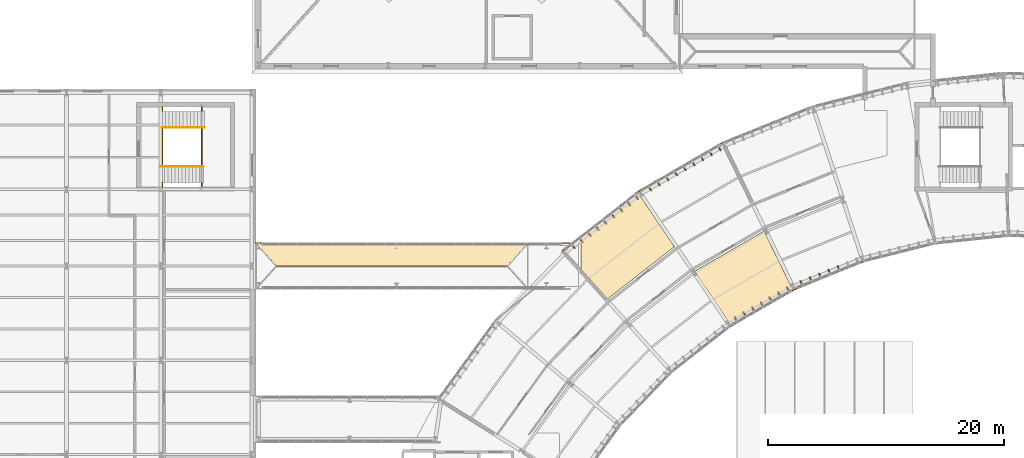
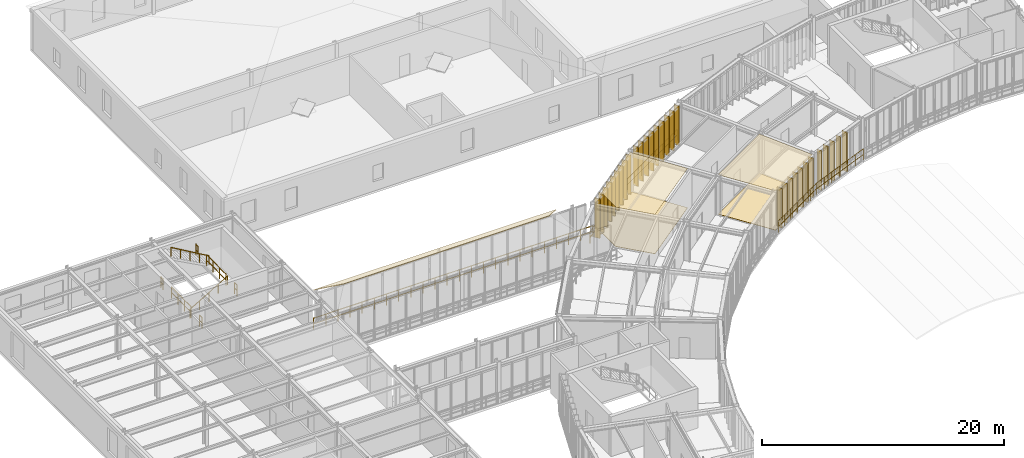
# One storey, part 54 of 57: 35 coverings, 13 railings.
"""IFC4 building model written with IfcOpenShell, lengths in metres."""

from ifc_helpers import new_model, si_unit, direction, frame, origin, origin_2d, place, context, subcontext, project, spatial, polyline, rectangle, circle, outline, extrude, material, layer, layer_set, type_object, element, save


model = new_model("IFC4")

# Units and contexts
model_context = context("Model", 3, precision=1e-05, world=origin(), true_north=direction((0.0, 1.0)))
body_context = subcontext(model_context, "Body", "Model", "MODEL_VIEW")
ifc_project = project(units=[si_unit("LENGTHUNIT", "METRE"), si_unit("AREAUNIT", "SQUARE_METRE"), si_unit("VOLUMEUNIT", "CUBIC_METRE"), si_unit("PLANEANGLEUNIT", "RADIAN"), si_unit("MASSUNIT", "GRAM", prefix="KILO"), si_unit("THERMODYNAMICTEMPERATUREUNIT", "KELVIN"), si_unit("POWERUNIT", "WATT")], contexts=[model_context])

# Site, building, storey
site_placement = place(None, origin())
site = spatial("IfcSite", under=ifc_project, at=site_placement, CompositionType="ELEMENT")
building_placement = place(site_placement, origin())
building = spatial("IfcBuilding", under=site, at=building_placement, Name="Solvatero Civic Police Headquarters", CompositionType="ELEMENT")
storey_placement = place(building_placement, frame((0.0, 0.0, 9.300048828125)))
storey = spatial("IfcBuildingStorey", under=building, at=storey_placement, Name="L02", CompositionType="ELEMENT", Elevation=9.300048828125)

# Coverings
ifc_material_1 = material(Name="Mineral-Fibre Acoustic Tile", Category="gypsum")
ifc_layer_1 = layer(ifc_material_1, 0.02490234375)
ifc_layer_set_1 = layer_set([ifc_layer_1], Name="Mineral-Fibre Acoustic Tile")
covering_type_1 = type_object("IfcCoveringType", Name="COV-CEIL-AC", PredefinedType="CEILING", material=ifc_layer_set_1)
covering_1_placement = place(storey_placement, frame((0.0, 0.0, 3.974853515625)))
element("IfcCovering", 1, at=covering_1_placement, inside=storey, type_object=covering_type_1, Name="Acoustic Ceiling Homicide and Major Crimes Squad Bay 5", PredefinedType="CEILING", context=body_context, shape_type="SweptSolid", body=[
    extrude(outline(polyline([(68.7333984375, 63.673828125), (65.775634765625, 68.058837890625), (71.670654296875, 71.46240234375), (73.989501953125, 66.70849609375), (68.7333984375, 63.673828125)])), origin(), (0.0, 0.0, 1.0), 0.025146484375),
])
covering_2_placement = place(storey_placement, frame((0.0, 0.0, 3.974853515625)))
element("IfcCovering", 2, at=covering_2_placement, inside=storey, type_object=covering_type_1, Name="Acoustic Ceiling Organised Crime Analysis Room Bay 6", PredefinedType="CEILING", context=body_context, shape_type="SweptSolid", body=[
    extrude(outline(polyline([(61.10400390625, 74.519775390625), (64.06201171875, 70.134765625), (58.4033203125, 65.713623046875), (56.1201171875, 68.24951171875), (56.1201171875, 70.340087890625), (56.11962890625, 70.347900390625), (56.118408203125, 70.355712890625), (56.11669921875, 70.36328125), (56.114013671875, 70.37060546875), (56.110595703125, 70.377685546875), (56.1064453125, 70.384521484375), (56.101806640625, 70.390869140625), (56.0966796875, 70.396484375), (56.0908203125, 70.40185546875), (56.08447265625, 70.406494140625), (56.07763671875, 70.41064453125), (56.070556640625, 70.413818359375), (56.063232421875, 70.41650390625), (56.0556640625, 70.41845703125), (56.0478515625, 70.419677734375), (56.0400390625, 70.419921875), (55.8564453125, 70.419921875), (61.10400390625, 74.519775390625)])), origin(), (0.0, 0.0, 1.0), 0.025146484375),
])
ifc_material_2 = material(Name="Anodized Bronze Aluminium", Category="aluminium")
ifc_layer_2 = layer(ifc_material_2, 0.080078125)
ifc_layer_set_2 = layer_set([ifc_layer_2], Name="Anodized Bronze Aluminium")
covering_type_2 = type_object("IfcCoveringType", Name="COV-FIN-480", PredefinedType="CLADDING", material=ifc_layer_set_2)
for number, where, z_axis, x_axis, name in (
    (3, (77.994384765625, 68.3046875, -0.02001953125), (0.0, 0.0, 1.0), (-0.927183854567, -0.374606593416, 0.0), "Vertical Brise-Soleil Fin 0424"),
    (4, (77.206298828125, 67.986328125, -0.02001953125), (0.0, 0.0, 1.0), (-0.927183854567, -0.374606593416, 0.0), "Vertical Brise-Soleil Fin 0425"),
    (5, (76.418212890625, 67.66796875, -0.02001953125), (0.0, 0.0, 1.0), (-0.927183854567, -0.374606593416, 0.0), "Vertical Brise-Soleil Fin 0426"),
    (6, (75.630126953125, 67.349609375, -0.02001953125), (0.0, 0.0, 1.0), (-0.927183854567, -0.374606593416, 0.0), "Vertical Brise-Soleil Fin 0427"),
    (7, (74.842041015625, 67.031005859375, -0.02001953125), (0.0, 0.0, 1.0), (-0.927183854567, -0.374606593416, 0.0), "Vertical Brise-Soleil Fin 0428"),
    (8, (67.864990234375, 78.491455078125, -0.02001953125), (0.0, 0.0, 1.0), (-0.866025403784, -0.5, 0.0), "Vertical Brise-Soleil Fin 0429"),
    (9, (67.12890625, 78.06640625, -0.02001953125), (0.0, 0.0, 1.0), (-0.866025403784, -0.5, 0.0), "Vertical Brise-Soleil Fin 0430"),
    (10, (66.392578125, 77.6416015625, -0.02001953125), (0.0, 0.0, 1.0), (-0.866025403784, -0.5, 0.0), "Vertical Brise-Soleil Fin 0431"),
    (11, (65.656494140625, 77.216552734375, -0.02001953125), (0.0, 0.0, 1.0), (-0.866025403784, -0.5, 0.0), "Vertical Brise-Soleil Fin 0432"),
    (12, (64.92041015625, 76.79150390625, -0.02001953125), (0.0, 0.0, 1.0), (-0.866025403784, -0.5, 0.0), "Vertical Brise-Soleil Fin 0433"),
    (13, (64.184326171875, 76.366455078125, -0.02001953125), (0.0, 0.0, 1.0), (-0.866025403784, -0.5, 0.0), "Vertical Brise-Soleil Fin 0434"),
    (14, (63.4482421875, 75.94140625, -0.02001953125), (0.0, 0.0, 1.0), (-0.866025403784, -0.5, 0.0), "Vertical Brise-Soleil Fin 0435"),
    (15, (62.712158203125, 75.5166015625, -0.02001953125), (0.0, 0.0, 1.0), (-0.866025403784, -0.5, 0.0), "Vertical Brise-Soleil Fin 0436"),
    (16, (61.975830078125, 75.091552734375, -0.02001953125), (0.0, 0.0, 1.0), (-0.866025403784, -0.5, 0.0), "Vertical Brise-Soleil Fin 0437"),
    (17, (73.705322265625, 66.49853515625, -0.02001953125), (0.0, 0.0, 1.0), (-0.866025403784, -0.5, 0.0), "Vertical Brise-Soleil Fin 0438"),
    (18, (72.96923828125, 66.073486328125, -0.02001953125), (0.0, 0.0, 1.0), (-0.866025403784, -0.5, 0.0), "Vertical Brise-Soleil Fin 0439"),
    (19, (72.23291015625, 65.648681640625, -0.02001953125), (0.0, 0.0, 1.0), (-0.866025403784, -0.5, 0.0), "Vertical Brise-Soleil Fin 0440"),
    (20, (71.496826171875, 65.2236328125, -0.02001953125), (0.0, 0.0, 1.0), (-0.866025403784, -0.5, 0.0), "Vertical Brise-Soleil Fin 0441"),
    (21, (70.7607421875, 64.798583984375, -0.02001953125), (0.0, 0.0, 1.0), (-0.866025403784, -0.5, 0.0), "Vertical Brise-Soleil Fin 0442"),
    (22, (70.024658203125, 64.37353515625, -0.02001953125), (0.0, 0.0, 1.0), (-0.866025403784, -0.5, 0.0), "Vertical Brise-Soleil Fin 0443"),
    (23, (69.28857421875, 63.948486328125, -0.02001953125), (0.0, 0.0, 1.0), (-0.866025403784, -0.5, 0.0), "Vertical Brise-Soleil Fin 0444"),
    (24, (60.83203125, 74.357666015625, -0.02001953125), (0.0, 0.0, 1.0), (-0.788021498807, -0.61564772185, 0.0), "Vertical Brise-Soleil Fin 0445"),
    (25, (60.162353515625, 73.834228515625, -0.02001953125), (0.0, 0.0, 1.0), (-0.788021498807, -0.61564772185, 0.0), "Vertical Brise-Soleil Fin 0446"),
    (26, (59.492431640625, 73.31103515625, -0.02001953125), (0.0, 0.0, 1.0), (-0.788021498807, -0.61564772185, 0.0), "Vertical Brise-Soleil Fin 0447"),
    (27, (58.82275390625, 72.78759765625, -0.02001953125), (0.0, 0.0, 1.0), (-0.788021498807, -0.61564772185, 0.0), "Vertical Brise-Soleil Fin 0448"),
    (28, (58.15283203125, 72.264404296875, -0.02001953125), (0.0, 0.0, 1.0), (-0.788021498807, -0.61564772185, 0.0), "Vertical Brise-Soleil Fin 0449"),
    (29, (57.48291015625, 71.740966796875, -0.02001953125), (0.0, 0.0, 1.0), (-0.788021498807, -0.61564772185, 0.0), "Vertical Brise-Soleil Fin 0450"),
    (30, (56.813232421875, 71.2177734375, -0.02001953125), (0.0, 0.0, 1.0), (-0.788021498807, -0.61564772185, 0.0), "Vertical Brise-Soleil Fin 0451"),
    (31, (56.143310546875, 70.6943359375, -0.02001953125), (0.0, 0.0, 1.0), (-0.788021498807, -0.61564772185, 0.0), "Vertical Brise-Soleil Fin 0452"),
    (32, (55.4736328125, 70.171142578125, -0.02001953125), (0.0, 0.0, 1.0), (-0.788021498807, -0.61564772185, 0.0), "Vertical Brise-Soleil Fin 0453"),
):
    element("IfcCovering", number, at=place(storey_placement, frame(where, z_axis=z_axis, x_axis=x_axis)), inside=storey, type_object=covering_type_2, Name=name, PredefinedType="CLADDING", context=body_context, shape_type="SweptSolid", body=[
        extrude(rectangle(XDim=0.080078125, YDim=0.47998046875, at=origin_2d()), origin(), (0.0, 0.0, 1.0), 3.97998046875),
    ])
ifc_material_3 = material(Name="Venetian Terrazzo Stone", Category="masonry")
ifc_layer_3 = layer(ifc_material_3, 0.034912109375)
ifc_layer_set_3 = layer_set([ifc_layer_3], Name="Venetian Terrazzo Stone")
covering_type_3 = type_object("IfcCoveringType", Name="COV-FLR-TER", PredefinedType="FLOORING", material=ifc_layer_set_3)
covering_3_placement = place(storey_placement, origin())
element("IfcCovering", 33, at=covering_3_placement, inside=storey, type_object=covering_type_3, Name="Flooring Homicide and Major Crimes Squad Bay 5", PredefinedType="FLOORING", context=body_context, shape_type="SweptSolid", body=[
    extrude(outline(polyline([(68.7333984375, 63.673828125), (65.775634765625, 68.058837890625), (71.670654296875, 71.46240234375), (73.989501953125, 66.70849609375), (68.7333984375, 63.673828125)])), origin(), (0.0, 0.0, 1.0), 0.034912109375),
])
covering_4_placement = place(storey_placement, origin())
element("IfcCovering", 34, at=covering_4_placement, inside=storey, type_object=covering_type_3, Name="Flooring Organised Crime Analysis Room Bay 6", PredefinedType="FLOORING", context=body_context, shape_type="SweptSolid", body=[
    extrude(outline(polyline([(61.10400390625, 74.519775390625), (64.06201171875, 70.134765625), (58.4033203125, 65.713623046875), (56.1201171875, 68.24951171875), (56.1201171875, 70.340087890625), (56.11962890625, 70.347900390625), (56.118408203125, 70.355712890625), (56.11669921875, 70.36328125), (56.114013671875, 70.37060546875), (56.110595703125, 70.377685546875), (56.1064453125, 70.384521484375), (56.101806640625, 70.390869140625), (56.0966796875, 70.396484375), (56.0908203125, 70.40185546875), (56.08447265625, 70.406494140625), (56.07763671875, 70.41064453125), (56.070556640625, 70.413818359375), (56.063232421875, 70.41650390625), (56.0556640625, 70.41845703125), (56.0478515625, 70.419677734375), (56.0400390625, 70.419921875), (55.8564453125, 70.419921875), (61.10400390625, 74.519775390625)])), origin(), (0.0, 0.0, 1.0), 0.034912109375),
])
ifc_material_4 = material(Name="Lombard Terracotta Clay Tile", Category="masonry")
ifc_layer_4 = layer(ifc_material_4, 0.06005859375)
ifc_layer_set_4 = layer_set([ifc_layer_4], Name="Lombard Terracotta Clay Tile")
covering_type_4 = type_object("IfcCoveringType", Name="COV-RF-TILE", PredefinedType="ROOFING", material=ifc_layer_set_4)
covering_5_placement = place(storey_placement, frame((51.659912109375, 70.4599609375, 3.989990234375), z_axis=(0.0, 0.512544009094, 0.858660956805), x_axis=(-1.0, 0.0, 0.0)))
element("IfcCovering", 35, at=covering_5_placement, inside=storey, type_object=covering_type_4, Name="SB2R Lombard Terracotta Hipped Roof Covering N", PredefinedType="ROOFING", context=body_context, shape_type="SweptSolid", body=[
    extrude(outline(polyline([(0.0, 0.0), (23.119873046875, 0.0), (21.349853515625, 2.282578382034097), (1.77001953125, 2.282578382034097), (0.0, 0.0)])), origin(), (0.0, 0.0, -1.0), 0.06005859375),
])

# Railings
ifc_material_5 = material(Name="Anodized Bronze and Laminated Glass", Category="glass")
railing_type_1 = type_object("IfcRailingType", Name="RL-BAL-115", PredefinedType="BALUSTRADE", material=ifc_material_5)
railing_1_placement = place(storey_placement, frame((28.550048828125, 70.449951171875, 0.0)))
element("IfcRailing", 36, at=railing_1_placement, inside=storey, type_object=railing_type_1, Name="Glazed Facade Sill Balustrade RL-L02-SB2-N", PredefinedType="BALUSTRADE", context=body_context, shape_type="SweptSolid", body=[
    extrude(circle(Radius=0.02392578125, at=origin_2d()), frame((0.0, 0.0, 1.1259765625), z_axis=(1.0, 0.0, 0.0), x_axis=(0.0, 1.0, 0.0)), (0.0, 0.0, 1.0), 26.64990234375),
    extrude(circle(Radius=0.02392578125, at=origin_2d()), frame((0.0, 0.0, 0.55078125), z_axis=(1.0, 0.0, 0.0), x_axis=(0.0, 1.0, 0.0)), (0.0, 0.0, 1.0), 26.64990234375),
    extrude(circle(Radius=0.02099609375, at=origin_2d()), origin(), (0.0, 0.0, 1.0), 1.101806640625),
    extrude(circle(Radius=0.02099609375, at=origin_2d()), frame((1.15869140625, 0.0, 0.0)), (0.0, 0.0, 1.0), 1.101806640625),
    extrude(circle(Radius=0.02099609375, at=origin_2d()), frame((2.3173828125, 0.0, 0.0)), (0.0, 0.0, 1.0), 1.101806640625),
    extrude(circle(Radius=0.02099609375, at=origin_2d()), frame((3.47607421875, 0.0, 0.0)), (0.0, 0.0, 1.0), 1.101806640625),
    extrude(circle(Radius=0.02099609375, at=origin_2d()), frame((4.634765625, 0.0, 0.0)), (0.0, 0.0, 1.0), 1.101806640625),
    extrude(circle(Radius=0.02099609375, at=origin_2d()), frame((5.79345703125, 0.0, 0.0)), (0.0, 0.0, 1.0), 1.101806640625),
    extrude(circle(Radius=0.02099609375, at=origin_2d()), frame((6.9521484375, 0.0, 0.0)), (0.0, 0.0, 1.0), 1.101806640625),
    extrude(circle(Radius=0.02099609375, at=origin_2d()), frame((8.11083984375, 0.0, 0.0)), (0.0, 0.0, 1.0), 1.101806640625),
    extrude(circle(Radius=0.02099609375, at=origin_2d()), frame((9.26953125, 0.0, 0.0)), (0.0, 0.0, 1.0), 1.101806640625),
    extrude(circle(Radius=0.02099609375, at=origin_2d()), frame((10.42822265625, 0.0, 0.0)), (0.0, 0.0, 1.0), 1.101806640625),
    extrude(circle(Radius=0.02099609375, at=origin_2d()), frame((11.5869140625, 0.0, 0.0)), (0.0, 0.0, 1.0), 1.101806640625),
    extrude(circle(Radius=0.02099609375, at=origin_2d()), frame((12.74560546875, 0.0, 0.0)), (0.0, 0.0, 1.0), 1.101806640625),
    extrude(circle(Radius=0.02099609375, at=origin_2d()), frame((13.904296875, 0.0, 0.0)), (0.0, 0.0, 1.0), 1.101806640625),
    extrude(circle(Radius=0.02099609375, at=origin_2d()), frame((15.06298828125, 0.0, 0.0)), (0.0, 0.0, 1.0), 1.101806640625),
    extrude(circle(Radius=0.02099609375, at=origin_2d()), frame((16.2216796875, 0.0, 0.0)), (0.0, 0.0, 1.0), 1.101806640625),
    extrude(circle(Radius=0.02099609375, at=origin_2d()), frame((17.38037109375, 0.0, 0.0)), (0.0, 0.0, 1.0), 1.101806640625),
    extrude(circle(Radius=0.02099609375, at=origin_2d()), frame((18.5390625, 0.0, 0.0)), (0.0, 0.0, 1.0), 1.101806640625),
    extrude(circle(Radius=0.02099609375, at=origin_2d()), frame((19.69775390625, 0.0, 0.0)), (0.0, 0.0, 1.0), 1.101806640625),
    extrude(circle(Radius=0.02099609375, at=origin_2d()), frame((20.8564453125, 0.0, 0.0)), (0.0, 0.0, 1.0), 1.101806640625),
    extrude(circle(Radius=0.02099609375, at=origin_2d()), frame((22.01513671875, 0.0, 0.0)), (0.0, 0.0, 1.0), 1.101806640625),
    extrude(circle(Radius=0.02099609375, at=origin_2d()), frame((23.173828125, 0.0, 0.0)), (0.0, 0.0, 1.0), 1.101806640625),
    extrude(circle(Radius=0.02099609375, at=origin_2d()), frame((24.33251953125, 0.0, 0.0)), (0.0, 0.0, 1.0), 1.101806640625),
    extrude(circle(Radius=0.02099609375, at=origin_2d()), frame((25.4912109375, 0.0, 0.0)), (0.0, 0.0, 1.0), 1.101806640625),
    extrude(circle(Radius=0.02099609375, at=origin_2d()), frame((26.64990234375, 0.0, 0.0)), (0.0, 0.0, 1.0), 1.101806640625),
])
railing_2_placement = place(storey_placement, frame((80.07568359375, 68.8544921875, 0.0)))
element("IfcRailing", 37, at=railing_2_placement, inside=storey, type_object=railing_type_1, Name="Glazed Facade Sill Balustrade RL-L02-ARCIN-B04", PredefinedType="BALUSTRADE", context=body_context, shape_type="SweptSolid", body=[
    extrude(circle(Radius=0.02392578125, at=origin_2d()), frame((0.0, 0.0, 1.1259765625), z_axis=(-0.927193595022, -0.374582484041, 0.0), x_axis=(0.374582484041, -0.927193595022, 0.0)), (0.0, 0.0, 1.0), 6.286376953125),
    extrude(circle(Radius=0.02392578125, at=origin_2d()), frame((0.0, 0.0, 0.55078125), z_axis=(-0.927193595022, -0.374582484041, 0.0), x_axis=(0.374582484041, -0.927193595022, 0.0)), (0.0, 0.0, 1.0), 6.286376953125),
    extrude(circle(Radius=0.02099609375, at=origin_2d()), origin(), (0.0, 0.0, 1.0), 1.101806640625),
    extrude(circle(Radius=0.02099609375, at=origin_2d()), frame((-0.971435546875, -0.392578125, 0.0)), (0.0, 0.0, 1.0), 1.101806640625),
    extrude(circle(Radius=0.02099609375, at=origin_2d()), frame((-1.94287109375, -0.784912109375, 0.0)), (0.0, 0.0, 1.0), 1.101806640625),
    extrude(circle(Radius=0.02099609375, at=origin_2d()), frame((-2.914306640625, -1.17724609375, 0.0)), (0.0, 0.0, 1.0), 1.101806640625),
    extrude(circle(Radius=0.02099609375, at=origin_2d()), frame((-3.8857421875, -1.56982421875, 0.0)), (0.0, 0.0, 1.0), 1.101806640625),
    extrude(circle(Radius=0.02099609375, at=origin_2d()), frame((-4.857177734375, -1.96240234375, 0.0)), (0.0, 0.0, 1.0), 1.101806640625),
    extrude(circle(Radius=0.02099609375, at=origin_2d()), frame((-5.82861328125, -2.354736328125, 0.0)), (0.0, 0.0, 1.0), 1.101806640625),
])
railing_3_placement = place(storey_placement, frame((74.2470703125, 66.499755859375, 0.0)))
element("IfcRailing", 38, at=railing_3_placement, inside=storey, type_object=railing_type_1, Name="Glazed Facade Sill Balustrade RL-L02-ARCIN-B05", PredefinedType="BALUSTRADE", context=body_context, shape_type="SweptSolid", body=[
    extrude(circle(Radius=0.02392578125, at=origin_2d()), frame((0.0, 0.0, 1.1259765625), z_axis=(-0.866023907196, -0.500002592159, 0.0), x_axis=(0.500002592159, -0.866023907196, 0.0)), (0.0, 0.0, 1.0), 6.28662109375),
    extrude(circle(Radius=0.02392578125, at=origin_2d()), frame((0.0, 0.0, 0.55078125), z_axis=(-0.866023907196, -0.500002592159, 0.0), x_axis=(0.500002592159, -0.866023907196, 0.0)), (0.0, 0.0, 1.0), 6.28662109375),
    extrude(circle(Radius=0.02099609375, at=origin_2d()), origin(), (0.0, 0.0, 1.0), 1.101806640625),
    extrude(circle(Radius=0.02099609375, at=origin_2d()), frame((-0.907470703125, -0.52392578125, 0.0)), (0.0, 0.0, 1.0), 1.101806640625),
    extrude(circle(Radius=0.02099609375, at=origin_2d()), frame((-1.814697265625, -1.0478515625, 0.0)), (0.0, 0.0, 1.0), 1.101806640625),
    extrude(circle(Radius=0.02099609375, at=origin_2d()), frame((-2.72216796875, -1.57177734375, 0.0)), (0.0, 0.0, 1.0), 1.101806640625),
    extrude(circle(Radius=0.02099609375, at=origin_2d()), frame((-3.629638671875, -2.095458984375, 0.0)), (0.0, 0.0, 1.0), 1.101806640625),
    extrude(circle(Radius=0.02099609375, at=origin_2d()), frame((-4.536865234375, -2.619384765625, 0.0)), (0.0, 0.0, 1.0), 1.101806640625),
    extrude(circle(Radius=0.02099609375, at=origin_2d()), frame((-5.4443359375, -3.143310546875, 0.0)), (0.0, 0.0, 1.0), 1.101806640625),
])
railing_4_placement = place(storey_placement, frame((68.162353515625, 78.974853515625, 0.0)))
element("IfcRailing", 39, at=railing_4_placement, inside=storey, type_object=railing_type_1, Name="Glazed Facade Sill Balustrade RL-L02-ARCOUT-B05", PredefinedType="BALUSTRADE", context=body_context, shape_type="SweptSolid", body=[
    extrude(circle(Radius=0.02392578125, at=origin_2d()), frame((0.0, 0.0, 1.1259765625), z_axis=(-0.866027366358, -0.499996600708, 0.0), x_axis=(0.499996600708, -0.866027366358, 0.0)), (0.0, 0.0, 1.0), 8.22265625),
    extrude(circle(Radius=0.02392578125, at=origin_2d()), frame((0.0, 0.0, 0.55078125), z_axis=(-0.866027366358, -0.499996600708, 0.0), x_axis=(0.499996600708, -0.866027366358, 0.0)), (0.0, 0.0, 1.0), 8.22265625),
    extrude(circle(Radius=0.02099609375, at=origin_2d()), origin(), (0.0, 0.0, 1.0), 1.101806640625),
    extrude(circle(Radius=0.02099609375, at=origin_2d()), frame((-1.017333984375, -0.58740234375, 0.0)), (0.0, 0.0, 1.0), 1.101806640625),
    extrude(circle(Radius=0.02099609375, at=origin_2d()), frame((-2.03466796875, -1.174560546875, 0.0)), (0.0, 0.0, 1.0), 1.101806640625),
    extrude(circle(Radius=0.02099609375, at=origin_2d()), frame((-3.052001953125, -1.761962890625, 0.0)), (0.0, 0.0, 1.0), 1.101806640625),
    extrude(circle(Radius=0.02099609375, at=origin_2d()), frame((-4.069091796875, -2.349365234375, 0.0)), (0.0, 0.0, 1.0), 1.101806640625),
    extrude(circle(Radius=0.02099609375, at=origin_2d()), frame((-5.08642578125, -2.936767578125, 0.0)), (0.0, 0.0, 1.0), 1.101806640625),
    extrude(circle(Radius=0.02099609375, at=origin_2d()), frame((-6.103759765625, -3.52392578125, 0.0)), (0.0, 0.0, 1.0), 1.101806640625),
    extrude(circle(Radius=0.02099609375, at=origin_2d()), frame((-7.12109375, -4.111328125, 0.0)), (0.0, 0.0, 1.0), 1.101806640625),
])
railing_5_placement = place(storey_placement, frame((61.041259765625, 74.863525390625, 0.0)))
element("IfcRailing", 40, at=railing_5_placement, inside=storey, type_object=railing_type_1, Name="Glazed Facade Sill Balustrade RL-L02-ARCOUT-B06", PredefinedType="BALUSTRADE", context=body_context, shape_type="SweptSolid", body=[
    extrude(circle(Radius=0.02392578125, at=origin_2d()), frame((0.0, 0.0, 1.1259765625), z_axis=(-0.788023473491, -0.61564519427, 0.0), x_axis=(0.61564519427, -0.788023473491, 0.0)), (0.0, 0.0, 1.0), 8.22314453125),
    extrude(circle(Radius=0.02392578125, at=origin_2d()), frame((0.0, 0.0, 0.55078125), z_axis=(-0.788023473491, -0.61564519427, 0.0), x_axis=(0.61564519427, -0.788023473491, 0.0)), (0.0, 0.0, 1.0), 8.22314453125),
    extrude(circle(Radius=0.02099609375, at=origin_2d()), origin(), (0.0, 0.0, 1.0), 1.101806640625),
    extrude(circle(Radius=0.02099609375, at=origin_2d()), frame((-0.92578125, -0.72314453125, 0.0)), (0.0, 0.0, 1.0), 1.101806640625),
    extrude(circle(Radius=0.02099609375, at=origin_2d()), frame((-1.851318359375, -1.446533203125, 0.0)), (0.0, 0.0, 1.0), 1.101806640625),
    extrude(circle(Radius=0.02099609375, at=origin_2d()), frame((-2.777099609375, -2.169677734375, 0.0)), (0.0, 0.0, 1.0), 1.101806640625),
    extrude(circle(Radius=0.02099609375, at=origin_2d()), frame((-3.702880859375, -2.892822265625, 0.0)), (0.0, 0.0, 1.0), 1.101806640625),
    extrude(circle(Radius=0.02099609375, at=origin_2d()), frame((-4.628662109375, -3.615966796875, 0.0)), (0.0, 0.0, 1.0), 1.101806640625),
    extrude(circle(Radius=0.02099609375, at=origin_2d()), frame((-5.55419921875, -4.33935546875, 0.0)), (0.0, 0.0, 1.0), 1.101806640625),
    extrude(circle(Radius=0.02099609375, at=origin_2d()), frame((-6.47998046875, -5.0625, 0.0)), (0.0, 0.0, 1.0), 1.101806640625),
])
ifc_material_6 = material(Name="Painted Galvanized Steel", Category="steel")
railing_type_2 = type_object("IfcRailingType", Name="RL-GRD-110", PredefinedType="GUARDRAIL", material=ifc_material_6)
railing_6_placement = place(storey_placement, frame((20.6298828125, 76.97998046875, 0.0)))
element("IfcRailing", 41, at=railing_6_placement, inside=storey, type_object=railing_type_2, Name="ST-C4 L02 Floor Well Guardrail", PredefinedType="GUARDRAIL", context=body_context, shape_type="SweptSolid", body=[
    extrude(circle(Radius=0.02392578125, at=origin_2d()), frame((0.0, 0.0, 1.09619140625), z_axis=(0.0, 1.0, 0.0), x_axis=(-1.0, 0.0, 0.0)), (0.0, 0.0, 1.0), 3.239990234375),
    extrude(circle(Radius=0.02392578125, at=origin_2d()), frame((0.0, 0.0, 0.5361328125), z_axis=(0.0, 1.0, 0.0), x_axis=(-1.0, 0.0, 0.0)), (0.0, 0.0, 1.0), 3.239990234375),
    extrude(circle(Radius=0.02099609375, at=origin_2d()), origin(), (0.0, 0.0, 1.0), 1.072021484375),
    extrude(circle(Radius=0.02099609375, at=origin_2d()), frame((0.0, 1.080078125, 0.0)), (0.0, 0.0, 1.0), 1.072021484375),
    extrude(circle(Radius=0.02099609375, at=origin_2d()), frame((0.0, 2.159912109375, 0.0)), (0.0, 0.0, 1.0), 1.072021484375),
    extrude(circle(Radius=0.02099609375, at=origin_2d()), frame((0.0, 3.239990234375, 0.0)), (0.0, 0.0, 1.0), 1.072021484375),
])
for number, where, name in (
    (42, (20.6298828125, 75.2099609375, 0.0), "ST-C4 L02 Floor Well South Slot Guardrail"),
    (43, (20.6298828125, 81.6298828125, 0.0), "ST-C4 L02 Floor Well North Slot Guardrail"),
):
    element("IfcRailing", number, at=place(storey_placement, frame(where)), inside=storey, type_object=railing_type_2, Name=name, PredefinedType="GUARDRAIL", context=body_context, shape_type="SweptSolid", body=[
        extrude(circle(Radius=0.02392578125, at=origin_2d()), frame((0.0, 0.0, 1.09619140625), z_axis=(0.0, 1.0, 0.0), x_axis=(-1.0, 0.0, 0.0)), (0.0, 0.0, 1.0), 0.360107421875),
        extrude(circle(Radius=0.02392578125, at=origin_2d()), frame((0.0, 0.0, 0.5361328125), z_axis=(0.0, 1.0, 0.0), x_axis=(-1.0, 0.0, 0.0)), (0.0, 0.0, 1.0), 0.360107421875),
        extrude(circle(Radius=0.02099609375, at=origin_2d()), origin(), (0.0, 0.0, 1.0), 1.072021484375),
        extrude(circle(Radius=0.02099609375, at=origin_2d()), frame((0.0, 0.360107421875, 0.0)), (0.0, 0.0, 1.0), 1.072021484375),
    ])
railing_7_placement = place(storey_placement, frame((23.969970703125, 76.97998046875, 2.099853515625)))
element("IfcRailing", 44, at=railing_7_placement, inside=storey, type_object=railing_type_2, Name="ST-C4 L02 Half-Landing Well Guardrail", PredefinedType="GUARDRAIL", context=body_context, shape_type="SweptSolid", body=[
    extrude(circle(Radius=0.02392578125, at=origin_2d()), frame((0.0, 0.0, 1.09619140625), z_axis=(0.0, 1.0, 0.0), x_axis=(-1.0, 0.0, 0.0)), (0.0, 0.0, 1.0), 3.239990234375),
    extrude(circle(Radius=0.02392578125, at=origin_2d()), frame((0.0, 0.0, 0.5361328125), z_axis=(0.0, 1.0, 0.0), x_axis=(-1.0, 0.0, 0.0)), (0.0, 0.0, 1.0), 3.239990234375),
    extrude(circle(Radius=0.02099609375, at=origin_2d()), origin(), (0.0, 0.0, 1.0), 1.072021484375),
    extrude(circle(Radius=0.02099609375, at=origin_2d()), frame((0.0, 1.080078125, 0.0)), (0.0, 0.0, 1.0), 1.072021484375),
    extrude(circle(Radius=0.02099609375, at=origin_2d()), frame((0.0, 2.159912109375, 0.0)), (0.0, 0.0, 1.0), 1.072021484375),
    extrude(circle(Radius=0.02099609375, at=origin_2d()), frame((0.0, 3.239990234375, 0.0)), (0.0, 0.0, 1.0), 1.072021484375),
])
for number, where, name in (
    (45, (23.969970703125, 75.2099609375, 2.099853515625), "ST-C4 L02 Half-Landing South Slot Guardrail"),
    (46, (23.969970703125, 81.6298828125, 2.099853515625), "ST-C4 L02 Half-Landing North Slot Guardrail"),
):
    element("IfcRailing", number, at=place(storey_placement, frame(where)), inside=storey, type_object=railing_type_2, Name=name, PredefinedType="GUARDRAIL", context=body_context, shape_type="SweptSolid", body=[
        extrude(circle(Radius=0.02392578125, at=origin_2d()), frame((0.0, 0.0, 1.09619140625), z_axis=(0.0, 1.0, 0.0), x_axis=(-1.0, 0.0, 0.0)), (0.0, 0.0, 1.0), 0.360107421875),
        extrude(circle(Radius=0.02392578125, at=origin_2d()), frame((0.0, 0.0, 0.5361328125), z_axis=(0.0, 1.0, 0.0), x_axis=(-1.0, 0.0, 0.0)), (0.0, 0.0, 1.0), 0.360107421875),
        extrude(circle(Radius=0.02099609375, at=origin_2d()), origin(), (0.0, 0.0, 1.0), 1.072021484375),
        extrude(circle(Radius=0.02099609375, at=origin_2d()), frame((0.0, 0.360107421875, 0.0)), (0.0, 0.0, 1.0), 1.072021484375),
    ])
ifc_material_7 = material(Name="Brushed Stainless Steel", Category="steel")
railing_type_3 = type_object("IfcRailingType", Name="RL-HND-092", PredefinedType="HANDRAIL", material=ifc_material_7)
railing_8_placement = place(storey_placement, frame((20.5, 76.949951171875, 0.0)))
element("IfcRailing", 47, at=railing_8_placement, inside=storey, type_object=railing_type_3, Name="ST-C4 L02 Flight 1 Handrail", PredefinedType="HANDRAIL", context=body_context, shape_type="SweptSolid", body=[
    extrude(circle(Radius=0.02392578125, at=origin_2d()), frame((0.0, 0.0, 0.89599609375), z_axis=(0.863800146258, 0.0, 0.503834603144), x_axis=(0.0, 1.0, 0.0)), (0.0, 0.0, 1.0), 4.167724609375),
    extrude(circle(Radius=0.02099609375, at=origin_2d()), origin(), (0.0, 0.0, 1.0), 0.871826171875),
    extrude(circle(Radius=0.02099609375, at=origin_2d()), frame((0.89990234375, 0.0, 0.52490234375)), (0.0, 0.0, 1.0), 0.871826171875),
    extrude(circle(Radius=0.02099609375, at=origin_2d()), frame((1.800048828125, 0.0, 1.0498046875)), (0.0, 0.0, 1.0), 0.871826171875),
    extrude(circle(Radius=0.02099609375, at=origin_2d()), frame((2.7001953125, 0.0, 1.574951171875)), (0.0, 0.0, 1.0), 0.871826171875),
    extrude(circle(Radius=0.02099609375, at=origin_2d()), frame((3.60009765625, 0.0, 2.099853515625)), (0.0, 0.0, 1.0), 0.871826171875),
])
railing_9_placement = place(storey_placement, frame((24.199951171875, 80.25, 2.099853515625)))
element("IfcRailing", 48, at=railing_9_placement, inside=storey, type_object=railing_type_3, Name="ST-C4 L02 Flight 2 Handrail", PredefinedType="HANDRAIL", context=body_context, shape_type="SweptSolid", body=[
    extrude(circle(Radius=0.02392578125, at=origin_2d()), frame((0.0, 0.0, 0.89599609375), z_axis=(-0.863759778359, 0.0, 0.503903805591), x_axis=(0.0, -1.0, 0.0)), (0.0, 0.0, 1.0), 4.167724609375),
    extrude(circle(Radius=0.02099609375, at=origin_2d()), origin(), (0.0, 0.0, 1.0), 0.871826171875),
    extrude(circle(Radius=0.02099609375, at=origin_2d()), frame((-0.89990234375, 0.0, 0.52490234375)), (0.0, 0.0, 1.0), 0.871826171875),
    extrude(circle(Radius=0.02099609375, at=origin_2d()), frame((-1.7998046875, 0.0, 1.050048828125)), (0.0, 0.0, 1.0), 0.871826171875),
    extrude(circle(Radius=0.02099609375, at=origin_2d()), frame((-2.699951171875, 0.0, 1.5751953125)), (0.0, 0.0, 1.0), 0.871826171875),
    extrude(circle(Radius=0.02099609375, at=origin_2d()), frame((-3.599853515625, 0.0, 2.10009765625)), (0.0, 0.0, 1.0), 0.871826171875),
])

save(model, "model.ifc")
